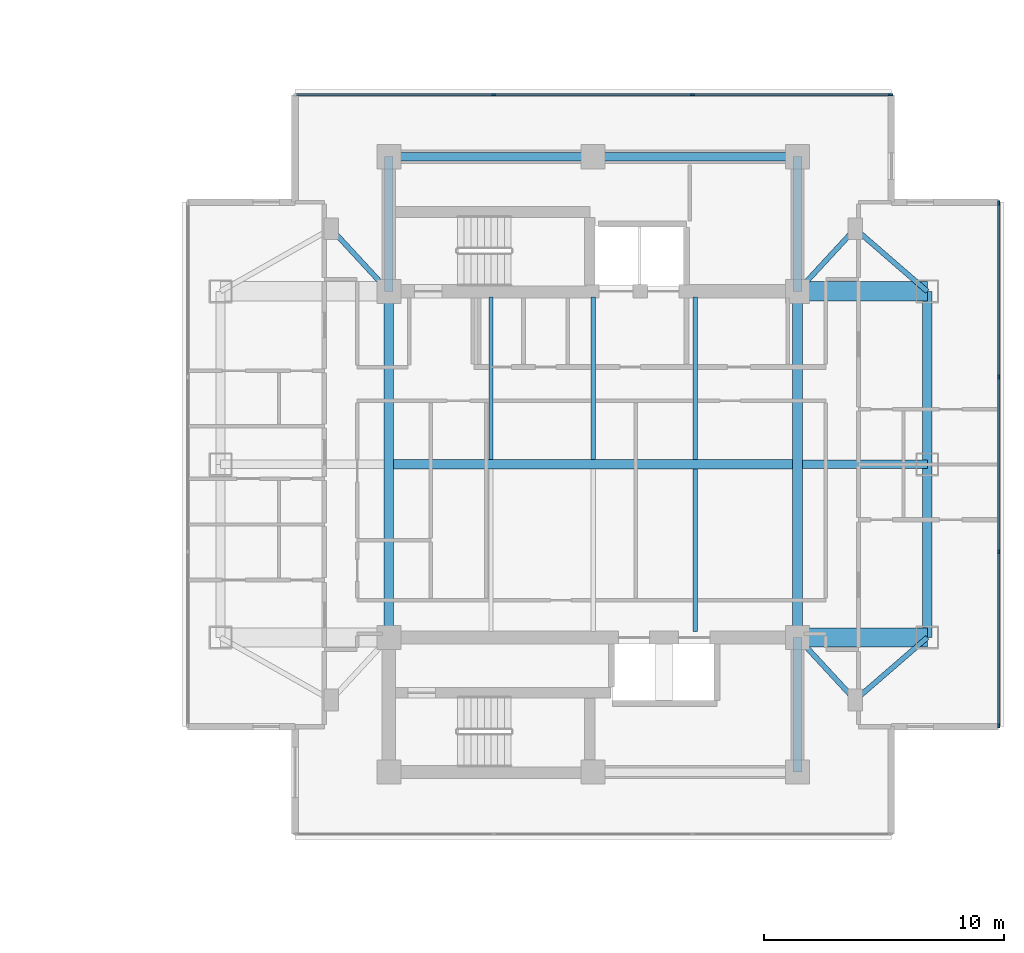
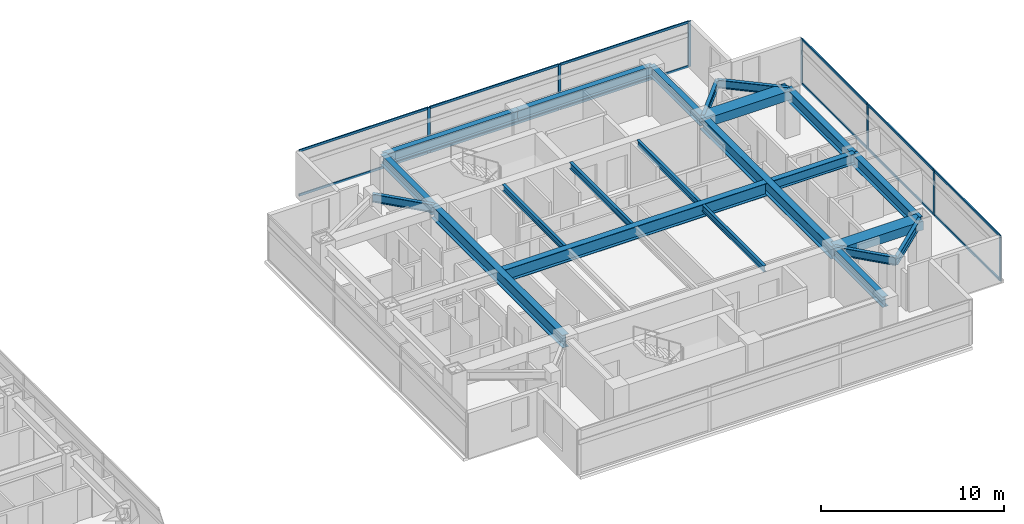
# One storey, part 10 of 24: 22 beams, 19 members, 2 elements without a shape of their own.
"""IFC4 building model written with IfcOpenShell, lengths in metres."""

import ifcopenshell
import ifcopenshell.guid

model = None  # the IFC model being written
_history = None  # IfcOwnerHistory: only IFC2X3 demands one
_inside = {}  # id of a spatial element -> (the spatial element, [elements in it])
_under = {}  # id of a project, library or spatial element -> (it, [spatial elements below it])
_declared = {}  # id of a project -> (the project, [libraries it declares])
_typed = {}  # id of a type object -> (the type object, [elements of that type])
_made_of = {}  # id of a material, layer set ... -> (it, [elements and type objects made of it])


def new_model(schema):
    """Start an empty IFC model of exactly this schema.

    Asked for "IFC4X3", IfcOpenShell would pick the latest addendum, in which some entities
    have other attributes; the version numbers below select the first issue.
    IFC2X3 requires an IfcOwnerHistory on every rooted entity: one is made here for all.
    """
    global model, _history
    if schema == "IFC4X3":
        model = ifcopenshell.file(schema_version=(4, 3, 0, 0))
    else:
        model = ifcopenshell.file(schema=schema)
    _inside.clear()
    _under.clear()
    _declared.clear()
    _typed.clear()
    _made_of.clear()
    _history = None
    if model.schema == "IFC2X3":
        org = make("IfcOrganization", Name="unknown")
        user = make(
            "IfcPersonAndOrganization",
            ThePerson=make("IfcPerson", FamilyName="unknown"),
            TheOrganization=org,
        )
        app = make(
            "IfcApplication",
            ApplicationDeveloper=org,
            Version="unknown",
            ApplicationFullName="unknown",
            ApplicationIdentifier="unknown",
        )
        _history = make(
            "IfcOwnerHistory",
            OwningUser=user,
            OwningApplication=app,
            ChangeAction="ADDED",
            CreationDate=0,
        )
    return model


def make(cls, **values):
    """One entity of the class cls with the attributes given. An attribute that is None is left unset."""
    return model.create_entity(
        cls, **{name: value for name, value in values.items() if value is not None}
    )


def rooted(cls, **values):
    """An entity with a GlobalId (a new one), such as an element, a storey or a relation."""
    return make(cls, GlobalId=ifcopenshell.guid.new(), OwnerHistory=_history, **values)


def si_unit(unit_type, name, prefix=None):
    """IfcSIUnit, for example si_unit("LENGTHUNIT", "METRE", prefix="MILLI")."""
    return make("IfcSIUnit", UnitType=unit_type, Prefix=prefix, Name=name)


def assignment(units):
    """IfcUnitAssignment: the units of a project."""
    return None if units is None else make("IfcUnitAssignment", Units=units)


def point(xyz):
    """IfcCartesianPoint."""
    return None if xyz is None else make("IfcCartesianPoint", Coordinates=xyz)


def direction(xyz):
    """IfcDirection."""
    return None if xyz is None else make("IfcDirection", DirectionRatios=xyz)


def frame(location, z_axis=None, x_axis=None):
    """IfcAxis2Placement3D, a coordinate frame: its origin and axes. An axis left out is left unset."""
    return make(
        "IfcAxis2Placement3D",
        Location=point(location),
        Axis=direction(z_axis),
        RefDirection=direction(x_axis),
    )


def frame_2d(location, x_axis=None):
    """IfcAxis2Placement2D, a coordinate frame in the plane: its origin and x axis."""
    return make(
        "IfcAxis2Placement2D", Location=point(location), RefDirection=direction(x_axis)
    )


def origin():
    """The frame at (0, 0, 0) with its axes left unset."""
    return frame((0.0, 0.0, 0.0))


def origin_2d():
    """The frame at (0, 0) in the plane with its x axis left unset."""
    return frame_2d((0.0, 0.0))


def place(relative_to, where):
    """IfcLocalPlacement: puts the frame where relative to a parent placement (None: the world)."""
    return make(
        "IfcLocalPlacement", PlacementRelTo=relative_to, RelativePlacement=where
    )


def context(
    kind, dimensions, precision=None, world=None, true_north=None, identifier=None
):
    """IfcGeometricRepresentationContext, for example the 3D "Model" context."""
    return make(
        "IfcGeometricRepresentationContext",
        ContextIdentifier=identifier,
        ContextType=kind,
        CoordinateSpaceDimension=dimensions,
        Precision=precision,
        WorldCoordinateSystem=world,
        TrueNorth=true_north,
    )


def subcontext(parent, identifier, kind, view, scale=None):
    """IfcGeometricRepresentationSubContext, for example "Body" below "Model"."""
    return make(
        "IfcGeometricRepresentationSubContext",
        ContextIdentifier=identifier,
        ContextType=kind,
        ParentContext=parent,
        TargetScale=scale,
        TargetView=view,
    )


def project(units=None, contexts=None):
    """IfcProject with its units and contexts."""
    return rooted(
        "IfcProject",
        Name="project",
        RepresentationContexts=contexts,
        UnitsInContext=assignment(units),
    )


def spatial(cls, under=None, at=None, **own):
    """A site, building, storey or space (cls), placed at a placement, below another one or the project."""
    s = rooted(cls, ObjectPlacement=at, **own)
    if under is not None:
        _under.setdefault(under.id(), (under, []))[1].append(s)
    return s


def profile(cls, at=None, kind="AREA", **sizes):
    """A parametric profile (cls). Its sizes go by their IFC names, for example OverallWidth=200.0."""
    return make(cls, ProfileType=kind, Position=at, **sizes)


def rectangle(**sizes):
    """IfcRectangleProfileDef."""
    return profile("IfcRectangleProfileDef", **sizes)


def i_section(**sizes):
    """IfcIShapeProfileDef."""
    return profile("IfcIShapeProfileDef", **sizes)


def extrude(swept, where, along, depth):
    """IfcExtrudedAreaSolid: the profile swept, set in the frame where, extruded along a direction by depth."""
    return make(
        "IfcExtrudedAreaSolid",
        SweptArea=swept,
        Position=where,
        ExtrudedDirection=direction(along),
        Depth=depth,
    )


def shape(context_of_items, identifier, shape_type, items):
    """IfcShapeRepresentation: the items that make up one representation, for example the "Body"."""
    return make(
        "IfcShapeRepresentation",
        ContextOfItems=context_of_items,
        RepresentationIdentifier=identifier,
        RepresentationType=shape_type,
        Items=items,
    )


def material(Name=None, Category=None):
    """IfcMaterial."""
    return make("IfcMaterial", Name=Name, Category=Category)


def material_profile(
    of_material, cross_section, Name=None, Category=None, Priority=None
):
    """IfcMaterialProfile: a cross section and its material."""
    return make(
        "IfcMaterialProfile",
        Name=Name,
        Material=of_material,
        Profile=cross_section,
        Priority=Priority,
        Category=Category,
    )


def profile_set(profiles, Name=None, composite=None):
    """IfcMaterialProfileSet."""
    return make(
        "IfcMaterialProfileSet",
        Name=Name,
        MaterialProfiles=profiles,
        CompositeProfile=composite,
    )


def made_of(thing, what):
    """Note that an element or type object is made of a material, layer set ...; save() writes the relation."""
    if what is not None:
        _made_of.setdefault(what.id(), (what, []))[1].append(thing)
    return thing


def type_object(cls, material=None, **own):
    """A type object (cls), such as IfcWallType, which elements share."""
    return made_of(rooted(cls, **own), material)


def element(
    cls,
    number,
    at=None,
    inside=None,
    cuts=None,
    type_object=None,
    material=None,
    context=None,
    identifier="Body",
    shape_type=None,
    held_by="IfcProductDefinitionShape",
    body=None,
    shapes=None,
    **own,
):
    """One element of the class cls, such as IfcWall. Its Tag is "e" and its number.

    at: its placement. inside: the storey or other place that contains it. cuts: it is an
    opening in that element (IfcRelVoidsElement). A single representation is given by context,
    identifier, shape_type and body (its items); several are given by shapes. held_by: the class
    of the entity that holds the representations. save() writes the other relations.
    """
    e = rooted(cls, Tag="e%d" % number, ObjectPlacement=at, **own)
    if body is not None:
        shapes = [shape(context, identifier, shape_type, body)]
    if shapes is not None:
        e.Representation = make(held_by, Representations=shapes)
    if inside is not None:
        _inside.setdefault(inside.id(), (inside, []))[1].append(e)
    if cuts is not None:
        rooted(
            "IfcRelVoidsElement", RelatingBuildingElement=cuts, RelatedOpeningElement=e
        )
    if type_object is not None:
        _typed.setdefault(type_object.id(), (type_object, []))[1].append(e)
    return made_of(e, material)


def aggregate(whole, parts):
    """IfcRelAggregates: a whole, such as a stair, and the parts it consists of."""
    return rooted("IfcRelAggregates", RelatingObject=whole, RelatedObjects=parts)


def save(model, path):
    """Write the relations noted so far, then the file.

    IfcRelAggregates (storeys below a building ...), IfcRelContainedInSpatialStructure (elements
    in a storey), IfcRelDefinesByType, IfcRelAssociatesMaterial and IfcRelDeclares: one each for
    every whole, place, type object, material and project.
    """
    for whole, parts in _under.values():
        aggregate(whole, parts)
    for where, things in _inside.values():
        rooted(
            "IfcRelContainedInSpatialStructure",
            RelatedElements=things,
            RelatingStructure=where,
        )
    for kind, things in _typed.values():
        rooted("IfcRelDefinesByType", RelatedObjects=things, RelatingType=kind)
    for what, things in _made_of.values():
        rooted("IfcRelAssociatesMaterial", RelatedObjects=things, RelatingMaterial=what)
    for by, libraries in _declared.values():
        rooted("IfcRelDeclares", RelatingContext=by, RelatedDefinitions=libraries)
    model.write(path)


model = new_model("IFC4")

# Units and contexts
model_context = context("Model", 3, precision=1e-05, world=origin(), true_north=direction((0.0, 1.0)))
body_context = subcontext(model_context, "Body", "Model", "MODEL_VIEW")
ifc_project = project(units=[si_unit("LENGTHUNIT", "METRE"), si_unit("AREAUNIT", "SQUARE_METRE"), si_unit("VOLUMEUNIT", "CUBIC_METRE"), si_unit("PLANEANGLEUNIT", "RADIAN"), si_unit("MASSUNIT", "GRAM", prefix="KILO")], contexts=[model_context])

# Site, building, storey
site_placement = place(None, origin())
site = spatial("IfcSite", under=ifc_project, at=site_placement, CompositionType="ELEMENT")
building_placement = place(site_placement, origin())
building = spatial("IfcBuilding", under=site, at=building_placement, Name="Mirazonda Arch Towers", CompositionType="ELEMENT")
storey_placement = place(building_placement, frame((0.0, 0.0, 157.64990234375)))
storey = spatial("IfcBuildingStorey", under=building, at=storey_placement, Name="L44", CompositionType="ELEMENT", Elevation=157.64990234375)

# Beams
ifc_material_1 = material(Name="Steel ASTM A992 Grade 50", Category="steel")
ifc_material_profile_1 = material_profile(ifc_material_1, i_section(OverallWidth=0.381103515625, OverallDepth=0.77294921875, WebThickness=0.0166015625, FlangeThickness=0.027099609375, at=origin_2d()), Name="W30X173")
ifc_profile_set_1 = profile_set([ifc_material_profile_1], Name="Steel ASTM A992 Grade 50")
beam_type_1 = type_object("IfcBeamType", Name="BM-EXT-W30X173", PredefinedType="USERDEFINED", material=ifc_profile_set_1)
for number, where, z_axis, x_axis, name in (
    (1, (90.39990234375, 20.800048828125, 2.66357421875), (0.0, 1.0, 0.0), (-1.0, 0.0, 0.0), "L44 Floor Beam BM-T2-L44-NS-E-20"),
    (2, (90.39990234375, 28.0, 2.66357421875), (0.0, 1.0, 0.0), (-1.0, 0.0, 0.0), "L44 Floor Beam BM-T2-L44-NS-E-28"),
):
    element("IfcBeam", number, at=place(storey_placement, frame(where, z_axis=z_axis, x_axis=x_axis)), inside=storey, type_object=beam_type_1, Name=name, ObjectType="GIRDER", PredefinedType="USERDEFINED", context=body_context, shape_type="SweptSolid", body=[
        extrude(i_section(OverallWidth=0.381103515625, OverallDepth=0.77294921875, WebThickness=0.0166015625, FlangeThickness=0.027099609375, at=origin_2d()), origin(), (0.0, 0.0, 1.0), 7.199951171875),
    ])
ifc_material_profile_2 = material_profile(ifc_material_1, i_section(OverallWidth=0.180908203125, OverallDepth=0.4169921875, WebThickness=0.010986328125, FlangeThickness=0.018310546875, at=origin_2d()), Name="W16X57")
ifc_profile_set_2 = profile_set([ifc_material_profile_2], Name="Steel ASTM A992 Grade 50")
beam_type_2 = type_object("IfcBeamType", Name="BM-INT-W16X57", PredefinedType="JOIST", material=ifc_profile_set_2)
for number, where, z_axis, x_axis, name in (
    (3, (72.25, 28.196044921875, 2.841552734375), (0.0, 1.0, 0.0), (-1.0, 0.0, 0.0), "L44 Floor Beam BM-T2-L44-J-722-28"),
    (4, (76.5, 28.196044921875, 2.841552734375), (0.0, 1.0, 0.0), (-1.0, 0.0, 0.0), "L44 Floor Beam BM-T2-L44-J-765-28"),
    (5, (80.75, 21.0400390625, 2.841552734375), (0.0, 1.0, 0.0), (-1.0, 0.0, 0.0), "L44 Floor Beam BM-T2-L44-J-807-20"),
    (6, (80.75, 28.196044921875, 2.841552734375), (0.0, 1.0, 0.0), (-1.0, 0.0, 0.0), "L44 Floor Beam BM-T2-L44-J-807-28"),
):
    element("IfcBeam", number, at=place(storey_placement, frame(where, z_axis=z_axis, x_axis=x_axis)), inside=storey, type_object=beam_type_2, Name=name, PredefinedType="JOIST", context=body_context, shape_type="SweptSolid", body=[
        extrude(i_section(OverallWidth=0.180908203125, OverallDepth=0.4169921875, WebThickness=0.010986328125, FlangeThickness=0.018310546875, at=origin_2d()), origin(), (0.0, 0.0, 1.0), 6.763916015625),
    ])
ifc_material_profile_3 = material_profile(ifc_material_1, i_section(OverallWidth=0.214111328125, OverallDepth=0.549072265625, WebThickness=0.0146484375, FlangeThickness=0.023681640625, at=origin_2d()), Name="W21X93")
ifc_profile_set_3 = profile_set([ifc_material_profile_3], Name="Steel ASTM A992 Grade 50")
beam_type_3 = type_object("IfcBeamType", Name="BM-INT-W21X93", PredefinedType="BEAM", material=ifc_profile_set_3)
beam_1_placement = place(storey_placement, frame((87.39990234375, 18.199951171875, 2.775634765625), z_axis=(-0.678251444854, 0.734829897019, 0.0), x_axis=(-0.734829897019, -0.678251444854, 0.0)))
element("IfcBeam", 7, at=beam_1_placement, inside=storey, type_object=beam_type_3, Name="L44 Floor Beam BM-T2-L44-PL-SE1", PredefinedType="BEAM", context=body_context, shape_type="SweptSolid", body=[
    extrude(i_section(OverallWidth=0.214111328125, OverallDepth=0.549072265625, WebThickness=0.0146484375, FlangeThickness=0.023681640625, at=origin_2d()), origin(), (0.0, 0.0, 1.0), 3.538330078125),
])
beam_2_placement = place(storey_placement, frame((87.39990234375, 18.199951171875, 2.775634765625), z_axis=(0.755676908098, 0.654944585876, 0.0), x_axis=(-0.654944585876, 0.755676908098, 0.0)))
element("IfcBeam", 8, at=beam_2_placement, inside=storey, type_object=beam_type_3, Name="L44 Floor Beam BM-T2-L44-PL-SE2", PredefinedType="BEAM", context=body_context, shape_type="SweptSolid", body=[
    extrude(i_section(OverallWidth=0.214111328125, OverallDepth=0.549072265625, WebThickness=0.0146484375, FlangeThickness=0.023681640625, at=origin_2d()), origin(), (0.0, 0.0, 1.0), 3.969970703125),
])
for number, where, z_axis, x_axis, name in (
    (9, (65.60009765625, 37.800048828125, 2.775634765625), (0.678251444854, -0.734829897019, 0.0), (0.734829897019, 0.678251444854, 0.0), "L44 Floor Beam BM-T2-L44-PL-NW1"),
    (10, (87.39990234375, 37.800048828125, 2.775634765625), (-0.678251444854, -0.734829897019, 0.0), (0.734829897019, -0.678251444854, 0.0), "L44 Floor Beam BM-T2-L44-PL-NE1"),
):
    element("IfcBeam", number, at=place(storey_placement, frame(where, z_axis=z_axis, x_axis=x_axis)), inside=storey, type_object=beam_type_3, Name=name, PredefinedType="BEAM", context=body_context, shape_type="SweptSolid", body=[
        extrude(i_section(OverallWidth=0.214111328125, OverallDepth=0.549072265625, WebThickness=0.0146484375, FlangeThickness=0.023681640625, at=origin_2d()), origin(), (0.0, 0.0, 1.0), 3.538330078125),
    ])
beam_3_placement = place(storey_placement, frame((87.39990234375, 37.800048828125, 2.775634765625), z_axis=(0.755676908098, -0.654944585876, 0.0), x_axis=(0.654944585876, 0.755676908098, 0.0)))
element("IfcBeam", 11, at=beam_3_placement, inside=storey, type_object=beam_type_3, Name="L44 Floor Beam BM-T2-L44-PL-NE2", PredefinedType="BEAM", context=body_context, shape_type="SweptSolid", body=[
    extrude(i_section(OverallWidth=0.214111328125, OverallDepth=0.549072265625, WebThickness=0.0146484375, FlangeThickness=0.023681640625, at=origin_2d()), origin(), (0.0, 0.0, 1.0), 3.969970703125),
])
ifc_material_profile_4 = material_profile(ifc_material_1, i_section(OverallWidth=0.35498046875, OverallDepth=0.696044921875, WebThickness=0.015380859375, FlangeThickness=0.02490234375, at=origin_2d()), Name="W27X146")
ifc_profile_set_4 = profile_set([ifc_material_profile_4], Name="Steel ASTM A992 Grade 50")
beam_type_4 = type_object("IfcBeamType", Name="BM-INT-W27X146", PredefinedType="BEAM", material=ifc_profile_set_4)
for number, where, z_axis, x_axis, name in (
    (12, (68.0, 40.800048828125, 2.7021484375), (1.0, 0.0, 0.0), (0.0, 1.0, 0.0), "L44 Floor Beam BM-T2-L44-CN1"),
    (13, (76.5, 40.800048828125, 2.7021484375), (1.0, 0.0, 0.0), (0.0, 1.0, 0.0), "L44 Floor Beam BM-T2-L44-CN2"),
):
    element("IfcBeam", number, at=place(storey_placement, frame(where, z_axis=z_axis, x_axis=x_axis)), inside=storey, type_object=beam_type_4, Name=name, PredefinedType="BEAM", context=body_context, shape_type="SweptSolid", body=[
        extrude(i_section(OverallWidth=0.35498046875, OverallDepth=0.696044921875, WebThickness=0.015380859375, FlangeThickness=0.02490234375, at=origin_2d()), origin(), (0.0, 0.0, 1.0), 8.5),
    ])
for number, where, z_axis, x_axis, name in (
    (14, (85.0, 15.199951171875, 2.7021484375), (0.0, 1.0, 0.0), (-1.0, 0.0, 0.0), "L44 Floor Beam BM-T2-L44-CSE"),
    (15, (68.0, 35.199951171875, 2.7021484375), (0.0, 1.0, 0.0), (-1.0, 0.0, 0.0), "L44 Floor Beam BM-T2-L44-CNW"),
    (16, (85.0, 35.199951171875, 2.7021484375), (0.0, 1.0, 0.0), (-1.0, 0.0, 0.0), "L44 Floor Beam BM-T2-L44-CNE"),
):
    element("IfcBeam", number, at=place(storey_placement, frame(where, z_axis=z_axis, x_axis=x_axis)), inside=storey, type_object=beam_type_4, Name=name, PredefinedType="BEAM", context=body_context, shape_type="SweptSolid", body=[
        extrude(i_section(OverallWidth=0.35498046875, OverallDepth=0.696044921875, WebThickness=0.015380859375, FlangeThickness=0.02490234375, at=origin_2d()), origin(), (0.0, 0.0, 1.0), 5.60009765625),
    ])
beam_4_placement = place(storey_placement, frame((85.199951171875, 28.0, 2.7021484375), z_axis=(1.0, 0.0, 0.0), x_axis=(0.0, 1.0, 0.0)))
element("IfcBeam", 17, at=beam_4_placement, inside=storey, type_object=beam_type_4, Name="L44 Floor Beam BM-T2-L44-GE2", PredefinedType="BEAM", context=body_context, shape_type="SweptSolid", body=[
    extrude(i_section(OverallWidth=0.35498046875, OverallDepth=0.696044921875, WebThickness=0.015380859375, FlangeThickness=0.02490234375, at=origin_2d()), origin(), (0.0, 0.0, 1.0), 5.199951171875),
])
ifc_material_profile_5 = material_profile(ifc_material_1, i_section(OverallWidth=0.39990234375, OverallDepth=0.85595703125, WebThickness=0.018310546875, FlangeThickness=0.029296875, at=origin_2d()), Name="W33X201")
ifc_profile_set_5 = profile_set([ifc_material_profile_5], Name="Steel ASTM A992 Grade 50")
beam_type_5 = type_object("IfcBeamType", Name="BM-INT-W33X201", PredefinedType="USERDEFINED", material=ifc_profile_set_5)
beam_5_placement = place(storey_placement, frame((68.199951171875, 28.0, 2.6220703125), z_axis=(1.0, 0.0, 0.0), x_axis=(0.0, 1.0, 0.0)))
element("IfcBeam", 18, at=beam_5_placement, inside=storey, type_object=beam_type_5, Name="L44 Floor Beam BM-T2-L44-GC2", ObjectType="GIRDER", PredefinedType="USERDEFINED", context=body_context, shape_type="SweptSolid", body=[
    extrude(i_section(OverallWidth=0.39990234375, OverallDepth=0.85595703125, WebThickness=0.018310546875, FlangeThickness=0.029296875, at=origin_2d()), origin(), (0.0, 0.0, 1.0), 16.60009765625),
])
for number, where, z_axis, x_axis, name in (
    (19, (68.0, 20.800048828125, 2.6220703125), (0.0, 1.0, 0.0), (-1.0, 0.0, 0.0), "L44 Floor Beam BM-T2-L44-NS-CW-FULL"),
    (20, (85.0, 20.800048828125, 2.6220703125), (0.0, 1.0, 0.0), (-1.0, 0.0, 0.0), "L44 Floor Beam BM-T2-L44-NS-CE-FULL"),
):
    element("IfcBeam", number, at=place(storey_placement, frame(where, z_axis=z_axis, x_axis=x_axis)), inside=storey, type_object=beam_type_5, Name=name, ObjectType="GIRDER", PredefinedType="USERDEFINED", context=body_context, shape_type="SweptSolid", body=[
        extrude(i_section(OverallWidth=0.39990234375, OverallDepth=0.85595703125, WebThickness=0.018310546875, FlangeThickness=0.029296875, at=origin_2d()), origin(), (0.0, 0.0, 1.0), 14.39990234375),
    ])
ifc_material_2 = material(Name="Concrete C60/75", Category="concrete")
ifc_material_profile_6 = material_profile(ifc_material_2, rectangle(XDim=0.800048828125, YDim=0.60009765625, at=origin_2d()), Name="RCCB800x600")
ifc_profile_set_6 = profile_set([ifc_material_profile_6], Name="Concrete C60/75")
beam_type_6 = type_object("IfcBeamType", Name="CB-INT-RCCB800x600", PredefinedType="SPANDREL", material=ifc_profile_set_6)
for number, where, z_axis, x_axis, name in (
    (21, (85.0, 35.199951171875, 2.75), (1.0, 0.0, 0.0), (0.0, 1.0, 0.0), "L44 Floor Beam CBC-T2-L44-NE"),
    (22, (85.0, 20.800048828125, 2.75), (1.0, 0.0, 0.0), (0.0, 1.0, 0.0), "L44 Floor Beam CBC-T2-L44-SE"),
):
    element("IfcBeam", number, at=place(storey_placement, frame(where, z_axis=z_axis, x_axis=x_axis)), inside=storey, type_object=beam_type_6, Name=name, PredefinedType="SPANDREL", context=body_context, shape_type="SweptSolid", body=[
        extrude(rectangle(XDim=0.800048828125, YDim=0.60009765625, at=origin_2d()), origin(), (0.0, 0.0, 1.0), 5.39990234375),
    ])

# Curtain wall, members
ifc_material_3 = material(Name="Anodised Aluminium and Low-E Glass", Category="aluminium")
curtain_wall_type = type_object("IfcCurtainWallType", Name="CW-RES-UNIT", PredefinedType="NOTDEFINED", material=ifc_material_3)
curtain_wall_1_placement = place(storey_placement, origin())
curtain_wall_1 = element("IfcCurtainWall", 23, at=curtain_wall_1_placement, inside=storey, type_object=curtain_wall_type, Name="L44 T2 E Facade CW-L44-T2-E", PredefinedType="NOTDEFINED")
ifc_material_4 = material(Name="Anodised Aluminium Alloy", Category="aluminium")
ifc_material_profile_7 = material_profile(ifc_material_4, rectangle(XDim=0.074951171875, YDim=0.175048828125, at=origin_2d()), Name="ALU-MULL-75x175")
ifc_profile_set_7 = profile_set([ifc_material_profile_7], Name="Anodised Aluminium Alloy")
member_type_1 = type_object("IfcMemberType", Name="MULL-CW-RES-UNIT", PredefinedType="MULLION", material=ifc_profile_set_7)
member_1_placement = place(storey_placement, frame((93.37060546875, 17.1279296875, 0.0), z_axis=(0.0, 0.0, 1.0), x_axis=(-1.0, 0.0, 0.0)))
member_1 = element("IfcMember", 24, at=member_1_placement, type_object=member_type_1, Name="CW-104 mullion 1", PredefinedType="MULLION", context=body_context, shape_type="SweptSolid", body=[
    extrude(rectangle(XDim=0.074951171875, YDim=0.175048828125, at=origin_2d()), origin(), (0.0, 0.0, 1.0), 3.030029296875),
])
member_2_placement = place(storey_placement, frame((93.37060546875, 24.363525390625, 0.0), z_axis=(0.0, 0.0, 1.0), x_axis=(-1.0, 0.0, 0.0)))
member_2 = element("IfcMember", 25, at=member_2_placement, type_object=member_type_1, Name="CW-104 mullion 2", PredefinedType="MULLION", context=body_context, shape_type="SweptSolid", body=[
    extrude(rectangle(XDim=0.074951171875, YDim=0.175048828125, at=origin_2d()), origin(), (0.0, 0.0, 1.0), 3.030029296875),
])
member_3_placement = place(storey_placement, frame((93.37060546875, 31.636474609375, 0.0), z_axis=(0.0, 0.0, 1.0), x_axis=(-1.0, 0.0, 0.0)))
member_3 = element("IfcMember", 26, at=member_3_placement, type_object=member_type_1, Name="CW-104 mullion 3", PredefinedType="MULLION", context=body_context, shape_type="SweptSolid", body=[
    extrude(rectangle(XDim=0.074951171875, YDim=0.175048828125, at=origin_2d()), origin(), (0.0, 0.0, 1.0), 3.030029296875),
])
member_4_placement = place(storey_placement, frame((93.37060546875, 38.8720703125, 0.0), z_axis=(0.0, 0.0, 1.0), x_axis=(-1.0, 0.0, 0.0)))
member_4 = element("IfcMember", 27, at=member_4_placement, type_object=member_type_1, Name="CW-104 mullion 4", PredefinedType="MULLION", context=body_context, shape_type="SweptSolid", body=[
    extrude(rectangle(XDim=0.074951171875, YDim=0.175048828125, at=origin_2d()), origin(), (0.0, 0.0, 1.0), 3.030029296875),
])

curtain_wall_2_placement = place(storey_placement, origin())
curtain_wall_2 = element("IfcCurtainWall", 28, at=curtain_wall_2_placement, inside=storey, type_object=curtain_wall_type, Name="L44 T2 N Facade CW-L44-T2-N", PredefinedType="NOTDEFINED")
member_5_placement = place(storey_placement, frame((72.364990234375, 43.374755859375, 0.0), z_axis=(0.0, 0.0, 1.0), x_axis=(0.0, 1.0, 0.0)))
member_5 = element("IfcMember", 29, at=member_5_placement, type_object=member_type_1, Name="CW-104 mullion 2", PredefinedType="MULLION", context=body_context, shape_type="SweptSolid", body=[
    extrude(rectangle(XDim=0.074951171875, YDim=0.175048828125, at=origin_2d()), origin(), (0.0, 0.0, 1.0), 3.030029296875),
])
member_6_placement = place(storey_placement, frame((80.635009765625, 43.374755859375, 0.0), z_axis=(0.0, 0.0, 1.0), x_axis=(0.0, 1.0, 0.0)))
member_6 = element("IfcMember", 30, at=member_6_placement, type_object=member_type_1, Name="CW-104 mullion 3", PredefinedType="MULLION", context=body_context, shape_type="SweptSolid", body=[
    extrude(rectangle(XDim=0.074951171875, YDim=0.175048828125, at=origin_2d()), origin(), (0.0, 0.0, 1.0), 3.030029296875),
])
member_7_placement = place(storey_placement, frame((88.867919921875, 43.374755859375, 0.0), z_axis=(0.0, 0.0, 1.0), x_axis=(0.0, 1.0, 0.0)))
member_7 = element("IfcMember", 31, at=member_7_placement, type_object=member_type_1, Name="CW-104 mullion 4", PredefinedType="MULLION", context=body_context, shape_type="SweptSolid", body=[
    extrude(rectangle(XDim=0.074951171875, YDim=0.175048828125, at=origin_2d()), origin(), (0.0, 0.0, 1.0), 3.030029296875),
])

# Member
ifc_material_profile_8 = material_profile(ifc_material_4, rectangle(XDim=0.074951171875, YDim=0.155029296875, at=origin_2d()), Name="ALU-TRAN-75x155")
ifc_profile_set_8 = profile_set([ifc_material_profile_8], Name="Anodised Aluminium Alloy")
member_type_2 = type_object("IfcMemberType", Name="TRAN-CW-RES-UNIT", PredefinedType="USERDEFINED", material=ifc_profile_set_8)
member_8_placement = place(storey_placement, frame((93.37060546875, 17.165283203125, 0.03759765625), z_axis=(0.0, 1.0, 0.0), x_axis=(-1.0, 0.0, 0.0)))
member_8 = element("IfcMember", 32, at=member_8_placement, type_object=member_type_2, Name="CW-104 transom 1.1", ObjectType="TRANSOM", PredefinedType="USERDEFINED", context=body_context, shape_type="SweptSolid", body=[
    extrude(rectangle(XDim=0.074951171875, YDim=0.155029296875, at=origin_2d()), origin(), (0.0, 0.0, 1.0), 7.16064453125),
])

member_9_placement = place(storey_placement, frame((93.37060546875, 17.165283203125, 2.99267578125), z_axis=(0.0, 1.0, 0.0), x_axis=(-1.0, 0.0, 0.0)))
member_9 = element("IfcMember", 33, at=member_9_placement, type_object=member_type_2, Name="CW-104 transom 1.2", ObjectType="TRANSOM", PredefinedType="USERDEFINED", context=body_context, shape_type="SweptSolid", body=[
    extrude(rectangle(XDim=0.074951171875, YDim=0.155029296875, at=origin_2d()), origin(), (0.0, 0.0, 1.0), 7.16064453125),
])

member_10_placement = place(storey_placement, frame((93.37060546875, 24.40087890625, 0.03759765625), z_axis=(0.0, 1.0, 0.0), x_axis=(-1.0, 0.0, 0.0)))
member_10 = element("IfcMember", 34, at=member_10_placement, type_object=member_type_2, Name="CW-104 transom 2.1", ObjectType="TRANSOM", PredefinedType="USERDEFINED", context=body_context, shape_type="SweptSolid", body=[
    extrude(rectangle(XDim=0.074951171875, YDim=0.155029296875, at=origin_2d()), origin(), (0.0, 0.0, 1.0), 7.1982421875),
])

member_11_placement = place(storey_placement, frame((93.37060546875, 24.40087890625, 2.99267578125), z_axis=(0.0, 1.0, 0.0), x_axis=(-1.0, 0.0, 0.0)))
member_11 = element("IfcMember", 35, at=member_11_placement, type_object=member_type_2, Name="CW-104 transom 2.2", ObjectType="TRANSOM", PredefinedType="USERDEFINED", context=body_context, shape_type="SweptSolid", body=[
    extrude(rectangle(XDim=0.074951171875, YDim=0.155029296875, at=origin_2d()), origin(), (0.0, 0.0, 1.0), 7.1982421875),
])

member_12_placement = place(storey_placement, frame((93.37060546875, 31.674072265625, 0.03759765625), z_axis=(0.0, 1.0, 0.0), x_axis=(-1.0, 0.0, 0.0)))
member_12 = element("IfcMember", 36, at=member_12_placement, type_object=member_type_2, Name="CW-104 transom 3.1", ObjectType="TRANSOM", PredefinedType="USERDEFINED", context=body_context, shape_type="SweptSolid", body=[
    extrude(rectangle(XDim=0.074951171875, YDim=0.155029296875, at=origin_2d()), origin(), (0.0, 0.0, 1.0), 7.16064453125),
])

member_13_placement = place(storey_placement, frame((93.37060546875, 31.674072265625, 2.99267578125), z_axis=(0.0, 1.0, 0.0), x_axis=(-1.0, 0.0, 0.0)))
member_13 = element("IfcMember", 37, at=member_13_placement, type_object=member_type_2, Name="CW-104 transom 3.2", ObjectType="TRANSOM", PredefinedType="USERDEFINED", context=body_context, shape_type="SweptSolid", body=[
    extrude(rectangle(XDim=0.074951171875, YDim=0.155029296875, at=origin_2d()), origin(), (0.0, 0.0, 1.0), 7.16064453125),
])

aggregate(curtain_wall_1, [member_1, member_2, member_3, member_4, member_8, member_9, member_10, member_11, member_12, member_13])

member_14_placement = place(storey_placement, frame((64.169677734375, 43.374755859375, 0.03759765625), z_axis=(1.0, 0.0, 0.0), x_axis=(0.0, 1.0, 0.0)))
member_14 = element("IfcMember", 38, at=member_14_placement, type_object=member_type_2, Name="CW-104 transom 1.1", ObjectType="TRANSOM", PredefinedType="USERDEFINED", context=body_context, shape_type="SweptSolid", body=[
    extrude(rectangle(XDim=0.074951171875, YDim=0.155029296875, at=origin_2d()), origin(), (0.0, 0.0, 1.0), 8.15771484375),
])

member_15_placement = place(storey_placement, frame((64.169677734375, 43.374755859375, 2.99267578125), z_axis=(1.0, 0.0, 0.0), x_axis=(0.0, 1.0, 0.0)))
member_15 = element("IfcMember", 39, at=member_15_placement, type_object=member_type_2, Name="CW-104 transom 1.2", ObjectType="TRANSOM", PredefinedType="USERDEFINED", context=body_context, shape_type="SweptSolid", body=[
    extrude(rectangle(XDim=0.074951171875, YDim=0.155029296875, at=origin_2d()), origin(), (0.0, 0.0, 1.0), 8.15771484375),
])

member_16_placement = place(storey_placement, frame((72.40234375, 43.374755859375, 0.03759765625), z_axis=(1.0, 0.0, 0.0), x_axis=(0.0, 1.0, 0.0)))
member_16 = element("IfcMember", 40, at=member_16_placement, type_object=member_type_2, Name="CW-104 transom 2.1", ObjectType="TRANSOM", PredefinedType="USERDEFINED", context=body_context, shape_type="SweptSolid", body=[
    extrude(rectangle(XDim=0.074951171875, YDim=0.155029296875, at=origin_2d()), origin(), (0.0, 0.0, 1.0), 8.1953125),
])

member_17_placement = place(storey_placement, frame((72.40234375, 43.374755859375, 2.99267578125), z_axis=(1.0, 0.0, 0.0), x_axis=(0.0, 1.0, 0.0)))
member_17 = element("IfcMember", 41, at=member_17_placement, type_object=member_type_2, Name="CW-104 transom 2.2", ObjectType="TRANSOM", PredefinedType="USERDEFINED", context=body_context, shape_type="SweptSolid", body=[
    extrude(rectangle(XDim=0.074951171875, YDim=0.155029296875, at=origin_2d()), origin(), (0.0, 0.0, 1.0), 8.1953125),
])

member_18_placement = place(storey_placement, frame((80.672607421875, 43.374755859375, 0.03759765625), z_axis=(1.0, 0.0, 0.0), x_axis=(0.0, 1.0, 0.0)))
member_18 = element("IfcMember", 42, at=member_18_placement, type_object=member_type_2, Name="CW-104 transom 3.1", ObjectType="TRANSOM", PredefinedType="USERDEFINED", context=body_context, shape_type="SweptSolid", body=[
    extrude(rectangle(XDim=0.074951171875, YDim=0.155029296875, at=origin_2d()), origin(), (0.0, 0.0, 1.0), 8.15771484375),
])

member_19_placement = place(storey_placement, frame((80.672607421875, 43.374755859375, 2.99267578125), z_axis=(1.0, 0.0, 0.0), x_axis=(0.0, 1.0, 0.0)))
member_19 = element("IfcMember", 43, at=member_19_placement, type_object=member_type_2, Name="CW-104 transom 3.2", ObjectType="TRANSOM", PredefinedType="USERDEFINED", context=body_context, shape_type="SweptSolid", body=[
    extrude(rectangle(XDim=0.074951171875, YDim=0.155029296875, at=origin_2d()), origin(), (0.0, 0.0, 1.0), 8.15771484375),
])

aggregate(curtain_wall_2, [member_5, member_6, member_7, member_14, member_15, member_16, member_17, member_18, member_19])

save(model, "model.ifc")
